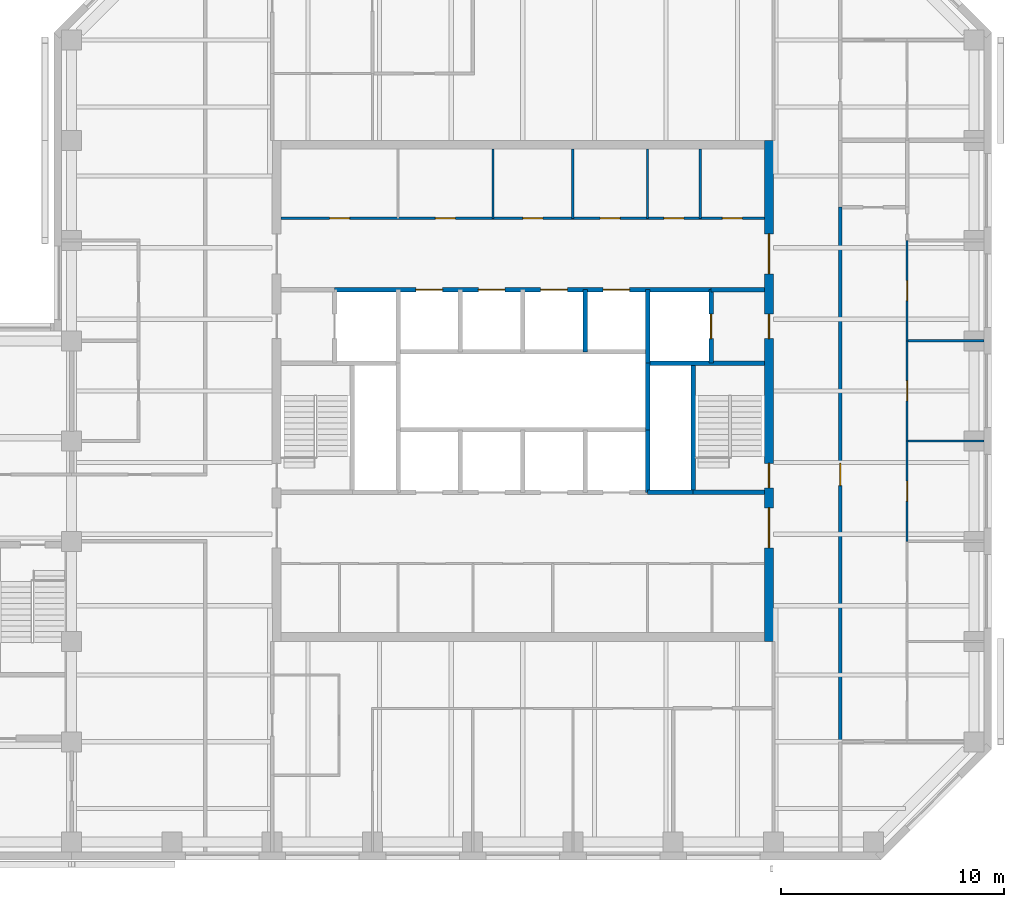
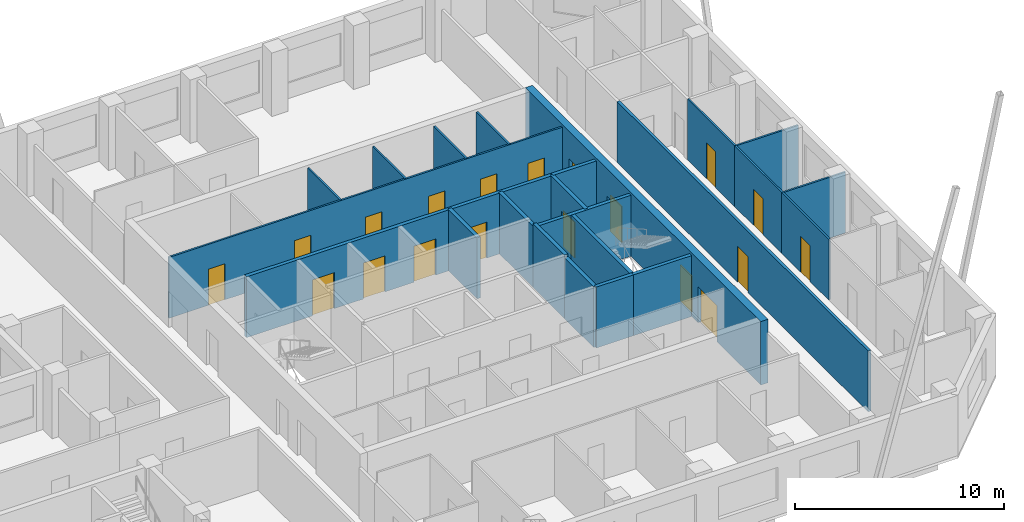
# One storey, part 6 of 9: 23 walls, 19 doors, 19 openings.
"""IFC4 building model written with IfcOpenShell, lengths in metres."""

from ifc_helpers import new_model, si_unit, direction, frame, frame_2d, origin, place, context, subcontext, project, spatial, rectangle, extrude, material, layer, layer_set, type_object, element, fill, save


model = new_model("IFC4")

# Units and contexts
model_context = context("Model", 3, precision=1e-05, world=origin(), true_north=direction((0.0, 1.0)))
body_context = subcontext(model_context, "Body", "Model", "MODEL_VIEW")
ifc_project = project(units=[si_unit("LENGTHUNIT", "METRE"), si_unit("AREAUNIT", "SQUARE_METRE"), si_unit("VOLUMEUNIT", "CUBIC_METRE"), si_unit("PLANEANGLEUNIT", "RADIAN"), si_unit("MASSUNIT", "GRAM", prefix="KILO")], contexts=[model_context])

# Site, building, storey
site_placement = place(None, origin())
site = spatial("IfcSite", under=ifc_project, at=site_placement, CompositionType="ELEMENT")
building_placement = place(site_placement, origin())
building = spatial("IfcBuilding", under=site, at=building_placement, Name="Quoin Convention Tower", CompositionType="ELEMENT")
storey_placement = place(building_placement, frame((0.0, 0.0, 203.199951171875)))
storey = spatial("IfcBuildingStorey", under=building, at=storey_placement, Name="L53", CompositionType="ELEMENT", Elevation=203.199951171875)

# Wall, openings, doors
ifc_material_1 = material(Name="Plasterboard")
ifc_layer_1 = layer(ifc_material_1, 0.012451171875, Name="Finish")
ifc_material_2 = material(Name="Steel stud framing", Category="steel")
ifc_layer_2 = layer(ifc_material_2, 0.074951171875, Name="Structure")
ifc_layer_3 = layer(ifc_material_1, 0.012451171875, Name="Finish")
ifc_layer_set_1 = layer_set([ifc_layer_1, ifc_layer_2, ifc_layer_3], Name="Steel stud framing")
wall_type_1 = type_object("IfcWallType", Name="Core partition wall", PredefinedType="PARTITIONING", material=ifc_layer_set_1)
wall_1_placement = place(storey_placement, frame((45.39990234375, 68.5, 0.0), z_axis=(0.0, 0.0, 1.0), x_axis=(1.0, 0.0, 0.0)))
wall_1 = element("IfcWall", 1, at=wall_1_placement, inside=storey, type_object=wall_type_1, Name="cr-C1-L53-h19000_400", PredefinedType="PARTITIONING", context=body_context, shape_type="SweptSolid", body=[
    extrude(rectangle(XDim=21.7001953125, YDim=0.10009765625, at=frame_2d((10.85009765625, 0.0))), origin(), (0.0, 0.0, 1.0), 3.550048828125),
])
opening_1_placement = place(wall_1_placement, frame((19.806396484375, 0.0, 0.0)))
opening_1 = element("IfcOpeningElement", 2, at=opening_1_placement, cuts=wall_1, Name="Opening DCV0-22", PredefinedType="OPENING", context=body_context, shape_type="SweptSolid", body=[
    extrude(rectangle(XDim=0.89990234375, YDim=2.10009765625, at=frame_2d((0.449951171875, 1.050048828125))), frame((0.0, 0.06005859375, 0.0), z_axis=(0.0, -1.0, 0.0), x_axis=(1.0, 0.0, 0.0)), (0.0, 0.0, 1.0), 0.1201171875),
])
opening_2_placement = place(wall_1_placement, frame((17.181396484375, 0.0, 0.0)))
opening_2 = element("IfcOpeningElement", 3, at=opening_2_placement, cuts=wall_1, Name="Opening DCV0-21", PredefinedType="OPENING", context=body_context, shape_type="SweptSolid", body=[
    extrude(rectangle(XDim=0.89990234375, YDim=2.10009765625, at=frame_2d((0.449951171875, 1.050048828125))), frame((0.0, 0.06005859375, 0.0), z_axis=(0.0, -1.0, 0.0), x_axis=(1.0, 0.0, 0.0)), (0.0, 0.0, 1.0), 0.1201171875),
])
opening_3_placement = place(wall_1_placement, frame((2.175048828125, 0.0, 0.0)))
opening_3 = element("IfcOpeningElement", 4, at=opening_3_placement, cuts=wall_1, Name="Opening DCV0-15", PredefinedType="OPENING", context=body_context, shape_type="SweptSolid", body=[
    extrude(rectangle(XDim=0.89990234375, YDim=2.10009765625, at=frame_2d((0.449951171875, 1.050048828125))), frame((0.0, 0.06005859375, 0.0), z_axis=(0.0, -1.0, 0.0), x_axis=(1.0, 0.0, 0.0)), (0.0, 0.0, 1.0), 0.1201171875),
])
opening_4_placement = place(wall_1_placement, frame((14.320068359375, 0.0, 0.0)))
opening_4 = element("IfcOpeningElement", 5, at=opening_4_placement, cuts=wall_1, Name="Opening DCV0-20", PredefinedType="OPENING", context=body_context, shape_type="SweptSolid", body=[
    extrude(rectangle(XDim=0.89990234375, YDim=2.10009765625, at=frame_2d((0.449951171875, 1.050048828125))), frame((0.0, 0.06005859375, 0.0), z_axis=(0.0, -1.0, 0.0), x_axis=(1.0, 0.0, 0.0)), (0.0, 0.0, 1.0), 0.1201171875),
])
opening_5_placement = place(wall_1_placement, frame((10.847900390625, 0.0, 0.0)))
opening_5 = element("IfcOpeningElement", 6, at=opening_5_placement, cuts=wall_1, Name="Opening DCV0-18", PredefinedType="OPENING", context=body_context, shape_type="SweptSolid", body=[
    extrude(rectangle(XDim=0.89990234375, YDim=2.10009765625, at=frame_2d((0.449951171875, 1.050048828125))), frame((0.0, 0.06005859375, 0.0), z_axis=(0.0, -1.0, 0.0), x_axis=(1.0, 0.0, 0.0)), (0.0, 0.0, 1.0), 0.1201171875),
])
opening_6_placement = place(wall_1_placement, frame((6.927978515625, 0.0, 0.0)))
opening_6 = element("IfcOpeningElement", 7, at=opening_6_placement, cuts=wall_1, Name="Opening DCV0-16", PredefinedType="OPENING", context=body_context, shape_type="SweptSolid", body=[
    extrude(rectangle(XDim=0.89990234375, YDim=2.10009765625, at=frame_2d((0.449951171875, 1.050048828125))), frame((0.0, 0.06005859375, 0.0), z_axis=(0.0, -1.0, 0.0), x_axis=(1.0, 0.0, 0.0)), (0.0, 0.0, 1.0), 0.1201171875),
])
ifc_material_3 = material(Name="Steel door leaf", Category="steel")
door_type_1 = type_object("IfcDoorType", Name="Core room door 900 x 2100", OperationType="SINGLE_SWING_LEFT", PredefinedType="DOOR", material=ifc_material_3)
door_1_placement = place(opening_1_placement, origin())
door_1 = element("IfcDoor", 8, at=door_1_placement, inside=storey, type_object=door_type_1, Name="cd-C1-L53-CNE0-lobB-CD5307", OperationType="SINGLE_SWING_RIGHT", OverallHeight=2.10009765625, OverallWidth=0.89990234375, PredefinedType="DOOR", context=body_context, shape_type="SweptSolid", body=[
    extrude(rectangle(XDim=0.89990234375, YDim=2.10009765625, at=frame_2d((0.449951171875, 1.050048828125))), frame((0.0, 0.02490234375, 0.0), z_axis=(0.0, -1.0, 0.0), x_axis=(1.0, 0.0, 0.0)), (0.0, 0.0, 1.0), 0.050048828125),
])
fill(opening_1, door_1)
door_2_placement = place(opening_2_placement, origin())
door_2 = element("IfcDoor", 9, at=door_2_placement, inside=storey, type_object=door_type_1, Name="cd-C1-L53-CNE1-lobB-CD5308", OperationType="SINGLE_SWING_RIGHT", OverallHeight=2.10009765625, OverallWidth=0.89990234375, PredefinedType="DOOR", context=body_context, shape_type="SweptSolid", body=[
    extrude(rectangle(XDim=0.89990234375, YDim=2.10009765625, at=frame_2d((0.449951171875, 1.050048828125))), frame((0.0, 0.02490234375, 0.0), z_axis=(0.0, -1.0, 0.0), x_axis=(1.0, 0.0, 0.0)), (0.0, 0.0, 1.0), 0.050048828125),
])
fill(opening_2, door_2)
door_3_placement = place(opening_3_placement, origin())
door_3 = element("IfcDoor", 10, at=door_3_placement, inside=storey, type_object=door_type_1, Name="cd-C1-L53-CNW0-lobB-CD5309", OperationType="SINGLE_SWING_RIGHT", OverallHeight=2.10009765625, OverallWidth=0.89990234375, PredefinedType="DOOR", context=body_context, shape_type="SweptSolid", body=[
    extrude(rectangle(XDim=0.89990234375, YDim=2.10009765625, at=frame_2d((0.449951171875, 1.050048828125))), frame((0.0, 0.02490234375, 0.0), z_axis=(0.0, -1.0, 0.0), x_axis=(1.0, 0.0, 0.0)), (0.0, 0.0, 1.0), 0.050048828125),
])
fill(opening_3, door_3)
door_4_placement = place(opening_4_placement, origin())
door_4 = element("IfcDoor", 11, at=door_4_placement, inside=storey, type_object=door_type_1, Name="cd-C1-L53-F40-lobB-CD5317", OperationType="SINGLE_SWING_RIGHT", OverallHeight=2.10009765625, OverallWidth=0.89990234375, PredefinedType="DOOR", context=body_context, shape_type="SweptSolid", body=[
    extrude(rectangle(XDim=0.89990234375, YDim=2.10009765625, at=frame_2d((0.449951171875, 1.050048828125))), frame((0.0, 0.02490234375, 0.0), z_axis=(0.0, -1.0, 0.0), x_axis=(1.0, 0.0, 0.0)), (0.0, 0.0, 1.0), 0.050048828125),
])
fill(opening_4, door_4)
door_5_placement = place(opening_5_placement, origin())
door_5 = element("IfcDoor", 12, at=door_5_placement, inside=storey, type_object=door_type_1, Name="cd-C1-L53-F41-lobB-CD5318", OperationType="SINGLE_SWING_RIGHT", OverallHeight=2.10009765625, OverallWidth=0.89990234375, PredefinedType="DOOR", context=body_context, shape_type="SweptSolid", body=[
    extrude(rectangle(XDim=0.89990234375, YDim=2.10009765625, at=frame_2d((0.449951171875, 1.050048828125))), frame((0.0, 0.02490234375, 0.0), z_axis=(0.0, -1.0, 0.0), x_axis=(1.0, 0.0, 0.0)), (0.0, 0.0, 1.0), 0.050048828125),
])
fill(opening_5, door_5)
door_6_placement = place(opening_6_placement, origin())
door_6 = element("IfcDoor", 13, at=door_6_placement, inside=storey, type_object=door_type_1, Name="cd-C1-L53-F42-lobB-CD5319", OperationType="SINGLE_SWING_RIGHT", OverallHeight=2.10009765625, OverallWidth=0.89990234375, PredefinedType="DOOR", context=body_context, shape_type="SweptSolid", body=[
    extrude(rectangle(XDim=0.89990234375, YDim=2.10009765625, at=frame_2d((0.449951171875, 1.050048828125))), frame((0.0, 0.02490234375, 0.0), z_axis=(0.0, -1.0, 0.0), x_axis=(1.0, 0.0, 0.0)), (0.0, 0.0, 1.0), 0.050048828125),
])
fill(opening_6, door_6)

# Walls
for number, where, z_axis, x_axis, name in (
    (14, (54.906005859375, 68.5, 0.0), (0.0, 0.0, 1.0), (0.0, 1.0, 0.0), "cr-C1-L53-v9906_19000"),
    (15, (58.489990234375, 68.5, 0.0), (0.0, 0.0, 1.0), (0.0, 1.0, 0.0), "cr-C1-L53-v13490_19000"),
    (16, (61.85009765625, 68.5, 0.0), (0.0, 0.0, 1.0), (0.0, 1.0, 0.0), "cr-C1-L53-v16850_19000"),
    (17, (64.21240234375, 68.5, 0.0), (0.0, 0.0, 1.0), (0.0, 1.0, 0.0), "cr-C1-L53-v19212_19000"),
):
    element("IfcWall", number, at=place(storey_placement, frame(where, z_axis=z_axis, x_axis=x_axis)), inside=storey, type_object=wall_type_1, Name=name, PredefinedType="PARTITIONING", context=body_context, shape_type="SweptSolid", body=[
        extrude(rectangle(XDim=3.10009765625, YDim=0.10009765625, at=frame_2d((1.550048828125, 0.0))), origin(), (0.0, 0.0, 1.0), 3.550048828125),
    ])
ifc_material_4 = material(Name="Concrete C50", Category="concrete")
ifc_layer_4 = layer(ifc_material_4, 0.199951171875)
ifc_layer_set_2 = layer_set([ifc_layer_4], Name="Concrete C50")
wall_type_2 = type_object("IfcWallType", Name="Core shaft wall", PredefinedType="SOLIDWALL", material=ifc_layer_set_2)
wall_2_placement = place(storey_placement, frame((61.85009765625, 56.199951171875, 0.0), z_axis=(0.0, 0.0, 1.0), x_axis=(1.0, 0.0, 0.0)))
element("IfcWall", 18, at=wall_2_placement, inside=storey, type_object=wall_type_2, Name="cr-C1-L53-h6700_16850", PredefinedType="SOLIDWALL", context=body_context, shape_type="SweptSolid", body=[
    extrude(rectangle(XDim=2.0498046875, YDim=0.199951171875, at=frame_2d((1.02490234375, 0.0))), origin(), (0.0, 0.0, 1.0), 3.550048828125),
])
wall_3_placement = place(storey_placement, frame((63.89990234375, 56.199951171875, 0.0), z_axis=(0.0, 0.0, 1.0), x_axis=(1.0, 0.0, 0.0)))
element("IfcWall", 19, at=wall_3_placement, inside=storey, type_object=wall_type_2, Name="cr-C1-L53-h6700_18900", PredefinedType="SOLIDWALL", context=body_context, shape_type="SweptSolid", body=[
    extrude(rectangle(XDim=3.2001953125, YDim=0.199951171875, at=frame_2d((1.60009765625, 0.0))), origin(), (0.0, 0.0, 1.0), 3.550048828125),
])
wall_4_placement = place(storey_placement, frame((61.85009765625, 62.0, 0.0), z_axis=(0.0, 0.0, 1.0), x_axis=(1.0, 0.0, 0.0)))
element("IfcWall", 20, at=wall_4_placement, inside=storey, type_object=wall_type_2, Name="cr-C1-L53-h12500_16850", PredefinedType="SOLIDWALL", context=body_context, shape_type="SweptSolid", body=[
    extrude(rectangle(XDim=5.25, YDim=0.199951171875, at=frame_2d((2.625, 0.0))), origin(), (0.0, 0.0, 1.0), 3.550048828125),
])
wall_5_placement = place(storey_placement, frame((64.699951171875, 65.300048828125, 0.0), z_axis=(0.0, 0.0, 1.0), x_axis=(1.0, 0.0, 0.0)))
element("IfcWall", 21, at=wall_5_placement, inside=storey, type_object=wall_type_2, Name="cr-C1-L53-h15800_19700", PredefinedType="SOLIDWALL", context=body_context, shape_type="SweptSolid", body=[
    extrude(rectangle(XDim=2.400146484375, YDim=0.199951171875, at=frame_2d((1.2001953125, 0.0))), origin(), (0.0, 0.0, 1.0), 3.550048828125),
])

# Wall, openings, doors
wall_6_placement = place(storey_placement, frame((47.800048828125, 65.300048828125, 0.0), z_axis=(0.0, 0.0, 1.0), x_axis=(1.0, 0.0, 0.0)))
wall_6 = element("IfcWall", 22, at=wall_6_placement, inside=storey, type_object=wall_type_2, Name="cr-C1-L53-h15800_2800", PredefinedType="SOLIDWALL", context=body_context, shape_type="SweptSolid", body=[
    extrude(rectangle(XDim=16.89990234375, YDim=0.199951171875, at=frame_2d((8.449951171875, 0.0))), origin(), (0.0, 0.0, 1.0), 3.550048828125),
])
opening_7_placement = place(wall_6_placement, frame((3.64990234375, 0.0, 0.0)))
opening_7 = element("IfcOpeningElement", 23, at=opening_7_placement, cuts=wall_6, Name="Opening LDH5", PredefinedType="OPENING", context=body_context, shape_type="SweptSolid", body=[
    extrude(rectangle(XDim=1.199951171875, YDim=2.10009765625, at=frame_2d((0.60009765625, 1.050048828125))), frame((0.0, 0.10986328125, 0.0), z_axis=(0.0, -1.0, 0.0), x_axis=(1.0, 0.0, 0.0)), (0.0, 0.0, 1.0), 0.219970703125),
])
opening_8_placement = place(wall_6_placement, frame((6.449951171875, 0.0, 0.0)))
opening_8 = element("IfcOpeningElement", 24, at=opening_8_placement, cuts=wall_6, Name="Opening LDH6", PredefinedType="OPENING", context=body_context, shape_type="SweptSolid", body=[
    extrude(rectangle(XDim=1.199951171875, YDim=2.10009765625, at=frame_2d((0.60009765625, 1.050048828125))), frame((0.0, 0.10986328125, 0.0), z_axis=(0.0, -1.0, 0.0), x_axis=(1.0, 0.0, 0.0)), (0.0, 0.0, 1.0), 0.219970703125),
])
opening_9_placement = place(wall_6_placement, frame((9.25, 0.0, 0.0)))
opening_9 = element("IfcOpeningElement", 25, at=opening_9_placement, cuts=wall_6, Name="Opening LDH7", PredefinedType="OPENING", context=body_context, shape_type="SweptSolid", body=[
    extrude(rectangle(XDim=1.199951171875, YDim=2.10009765625, at=frame_2d((0.60009765625, 1.050048828125))), frame((0.0, 0.10986328125, 0.0), z_axis=(0.0, -1.0, 0.0), x_axis=(1.0, 0.0, 0.0)), (0.0, 0.0, 1.0), 0.219970703125),
])
opening_10_placement = place(wall_6_placement, frame((12.050048828125, 0.0, 0.0)))
opening_10 = element("IfcOpeningElement", 26, at=opening_10_placement, cuts=wall_6, Name="Opening LDH8", PredefinedType="OPENING", context=body_context, shape_type="SweptSolid", body=[
    extrude(rectangle(XDim=1.199951171875, YDim=2.10009765625, at=frame_2d((0.60009765625, 1.050048828125))), frame((0.0, 0.10986328125, 0.0), z_axis=(0.0, -1.0, 0.0), x_axis=(1.0, 0.0, 0.0)), (0.0, 0.0, 1.0), 0.219970703125),
])
door_type_2 = type_object("IfcDoorType", Name="Lift landing door 1200 x 2100", OperationType="DOUBLE_DOOR_SLIDING", PredefinedType="DOOR", material=ifc_material_3)
door_7_placement = place(opening_7_placement, origin())
door_7 = element("IfcDoor", 27, at=door_7_placement, inside=storey, type_object=door_type_2, Name="cd-C1-L53-R30-lobB-LDH5", OperationType="DOUBLE_DOOR_SLIDING", OverallHeight=2.10009765625, OverallWidth=1.199951171875, PredefinedType="DOOR", context=body_context, shape_type="SweptSolid", body=[
    extrude(rectangle(XDim=1.199951171875, YDim=2.10009765625, at=frame_2d((0.60009765625, 1.050048828125))), frame((0.0, 0.02490234375, 0.0), z_axis=(0.0, -1.0, 0.0), x_axis=(1.0, 0.0, 0.0)), (0.0, 0.0, 1.0), 0.050048828125),
])
fill(opening_7, door_7)
door_8_placement = place(opening_8_placement, origin())
door_8 = element("IfcDoor", 28, at=door_8_placement, inside=storey, type_object=door_type_2, Name="cd-C1-L53-R31-lobB-LDH6", OperationType="DOUBLE_DOOR_SLIDING", OverallHeight=2.10009765625, OverallWidth=1.199951171875, PredefinedType="DOOR", context=body_context, shape_type="SweptSolid", body=[
    extrude(rectangle(XDim=1.199951171875, YDim=2.10009765625, at=frame_2d((0.60009765625, 1.050048828125))), frame((0.0, 0.02490234375, 0.0), z_axis=(0.0, -1.0, 0.0), x_axis=(1.0, 0.0, 0.0)), (0.0, 0.0, 1.0), 0.050048828125),
])
fill(opening_8, door_8)
door_9_placement = place(opening_9_placement, origin())
door_9 = element("IfcDoor", 29, at=door_9_placement, inside=storey, type_object=door_type_2, Name="cd-C1-L53-R32-lobB-LDH7", OperationType="DOUBLE_DOOR_SLIDING", OverallHeight=2.10009765625, OverallWidth=1.199951171875, PredefinedType="DOOR", context=body_context, shape_type="SweptSolid", body=[
    extrude(rectangle(XDim=1.199951171875, YDim=2.10009765625, at=frame_2d((0.60009765625, 1.050048828125))), frame((0.0, 0.02490234375, 0.0), z_axis=(0.0, -1.0, 0.0), x_axis=(1.0, 0.0, 0.0)), (0.0, 0.0, 1.0), 0.050048828125),
])
fill(opening_9, door_9)
door_10_placement = place(opening_10_placement, origin())
door_10 = element("IfcDoor", 30, at=door_10_placement, inside=storey, type_object=door_type_2, Name="cd-C1-L53-R33-lobB-LDH8", OperationType="DOUBLE_DOOR_SLIDING", OverallHeight=2.10009765625, OverallWidth=1.199951171875, PredefinedType="DOOR", context=body_context, shape_type="SweptSolid", body=[
    extrude(rectangle(XDim=1.199951171875, YDim=2.10009765625, at=frame_2d((0.60009765625, 1.050048828125))), frame((0.0, 0.02490234375, 0.0), z_axis=(0.0, -1.0, 0.0), x_axis=(1.0, 0.0, 0.0)), (0.0, 0.0, 1.0), 0.050048828125),
])
fill(opening_10, door_10)

# Walls
for number, where, z_axis, x_axis, name in (
    (31, (59.050048828125, 62.5, 0.0), (0.0, 0.0, 1.0), (0.0, 1.0, 0.0), "cr-C1-L53-v14050_13000"),
    (32, (61.85009765625, 56.199951171875, 0.0), (0.0, 0.0, 1.0), (0.0, 1.0, 0.0), "cr-C1-L53-v16850_6700"),
):
    element("IfcWall", number, at=place(storey_placement, frame(where, z_axis=z_axis, x_axis=x_axis)), inside=storey, type_object=wall_type_2, Name=name, PredefinedType="SOLIDWALL", context=body_context, shape_type="SweptSolid", body=[
        extrude(rectangle(XDim=2.800048828125, YDim=0.199951171875, at=frame_2d((1.39990234375, 0.0))), origin(), (0.0, 0.0, 1.0), 3.550048828125),
    ])
wall_7_placement = place(storey_placement, frame((61.85009765625, 62.0, 0.0), z_axis=(0.0, 0.0, 1.0), x_axis=(0.0, 1.0, 0.0)))
element("IfcWall", 33, at=wall_7_placement, inside=storey, type_object=wall_type_2, Name="cr-C1-L53-v16850_12500", PredefinedType="SOLIDWALL", context=body_context, shape_type="SweptSolid", body=[
    extrude(rectangle(XDim=3.300048828125, YDim=0.199951171875, at=frame_2d((1.64990234375, 0.0))), origin(), (0.0, 0.0, 1.0), 3.550048828125),
])
wall_8_placement = place(storey_placement, frame((63.89990234375, 56.199951171875, 0.0), z_axis=(0.0, 0.0, 1.0), x_axis=(0.0, 1.0, 0.0)))
element("IfcWall", 34, at=wall_8_placement, inside=storey, type_object=wall_type_2, Name="cr-C1-L53-v18900_6700", PredefinedType="SOLIDWALL", context=body_context, shape_type="SweptSolid", body=[
    extrude(rectangle(XDim=5.800048828125, YDim=0.199951171875, at=frame_2d((2.89990234375, 0.0))), origin(), (0.0, 0.0, 1.0), 3.550048828125),
])

# Wall, opening, door
wall_9_placement = place(storey_placement, frame((64.699951171875, 62.0, 0.0), z_axis=(0.0, 0.0, 1.0), x_axis=(0.0, 1.0, 0.0)))
wall_9 = element("IfcWall", 35, at=wall_9_placement, inside=storey, type_object=wall_type_2, Name="cr-C1-L53-v19700_12500", PredefinedType="SOLIDWALL", context=body_context, shape_type="SweptSolid", body=[
    extrude(rectangle(XDim=3.300048828125, YDim=0.199951171875, at=frame_2d((1.64990234375, 0.0))), origin(), (0.0, 0.0, 1.0), 3.550048828125),
])
opening_11_placement = place(wall_9_placement, frame((1.10009765625, 0.0, 0.0)))
opening_11 = element("IfcOpeningElement", 36, at=opening_11_placement, cuts=wall_9, Name="Opening LDFL2", PredefinedType="OPENING", context=body_context, shape_type="SweptSolid", body=[
    extrude(rectangle(XDim=1.10009765625, YDim=2.10009765625, at=frame_2d((0.550048828125, 1.050048828125))), frame((0.0, 0.10986328125, 0.0), z_axis=(0.0, -1.0, 0.0), x_axis=(1.0, 0.0, 0.0)), (0.0, 0.0, 1.0), 0.219970703125),
])
door_type_3 = type_object("IfcDoorType", Name="Lift landing door 1100 x 2100", OperationType="DOUBLE_DOOR_SLIDING", PredefinedType="DOOR", material=ifc_material_3)
door_11_placement = place(opening_11_placement, origin())
door_11 = element("IfcDoor", 37, at=door_11_placement, inside=storey, type_object=door_type_3, Name="cd-C1-L53-FLE-FFE-LDFL2", OperationType="DOUBLE_DOOR_SLIDING", OverallHeight=2.10009765625, OverallWidth=1.10009765625, PredefinedType="DOOR", context=body_context, shape_type="SweptSolid", body=[
    extrude(rectangle(XDim=1.10009765625, YDim=2.10009765625, at=frame_2d((0.550048828125, 1.050048828125))), frame((0.0, 0.02490234375, 0.0), z_axis=(0.0, -1.0, 0.0), x_axis=(1.0, 0.0, 0.0)), (0.0, 0.0, 1.0), 0.050048828125),
])
fill(opening_11, door_11)

# Wall
ifc_layer_5 = layer(ifc_material_4, 0.199951171875)
ifc_layer_set_3 = layer_set([ifc_layer_5], Name="Concrete C50")
wall_type_3 = type_object("IfcWallType", Name="Core shaft wall to the floor level over", PredefinedType="SOLIDWALL", material=ifc_layer_set_3)
wall_10_placement = place(storey_placement, frame((61.85009765625, 59.0, 0.0), z_axis=(0.0, 0.0, 1.0), x_axis=(0.0, 1.0, 0.0)))
element("IfcWall", 38, at=wall_10_placement, inside=storey, type_object=wall_type_3, Name="cr-C1-L53-v16850_9500", PredefinedType="SOLIDWALL", context=body_context, shape_type="SweptSolid", body=[
    extrude(rectangle(XDim=3.0, YDim=0.199951171875, at=frame_2d((1.5, 0.0))), origin(), (0.0, 0.0, 1.0), 3.699951171875),
])

# Wall, opening, door
ifc_layer_6 = layer(ifc_material_1, 0.012451171875, Name="Finish")
ifc_layer_7 = layer(ifc_material_2, 0.125, Name="Structure")
ifc_layer_8 = layer(ifc_material_1, 0.012451171875, Name="Finish")
ifc_layer_set_4 = layer_set([ifc_layer_6, ifc_layer_7, ifc_layer_8], Name="Steel stud framing")
wall_type_4 = type_object("IfcWallType", Name="Corridor wall 150", PredefinedType="PARTITIONING", material=ifc_layer_set_4)
wall_11_placement = place(storey_placement, frame((70.5, 45.0, 0.0), z_axis=(0.0, 0.0, 1.0), x_axis=(0.0, 1.0, 0.0)))
wall_11 = element("IfcWall", 39, at=wall_11_placement, inside=storey, type_object=wall_type_4, Name="pw-L53-051", PredefinedType="PARTITIONING", context=body_context, shape_type="SweptSolid", body=[
    extrude(rectangle(XDim=24.0, YDim=0.14990234375, at=frame_2d((12.0, 0.0))), origin(), (0.0, 0.0, 1.0), 3.550048828125),
])
opening_12_placement = place(wall_11_placement, frame((11.5, 0.0, 0.0)))
opening_12 = element("IfcOpeningElement", 40, at=opening_12_placement, cuts=wall_11, Name="Opening DOH8-15", PredefinedType="OPENING", context=body_context, shape_type="SweptSolid", body=[
    extrude(rectangle(XDim=1.0, YDim=2.10009765625, at=frame_2d((0.5, 1.050048828125))), frame((0.0, 0.0849609375, 0.0), z_axis=(0.0, -1.0, 0.0), x_axis=(1.0, 0.0, 0.0)), (0.0, 0.0, 1.0), 0.169921875),
])
door_type_4 = type_object("IfcDoorType", Name="Tenancy entrance door 1000 x 2100", OperationType="DOUBLE_DOOR_SINGLE_SWING", PredefinedType="DOOR", material=ifc_material_3)
door_12_placement = place(opening_12_placement, frame((1.0, 0.0, 0.0), z_axis=(0.0, 0.0, 1.0), x_axis=(-1.0, 0.0, 0.0)))
door_12 = element("IfcDoor", 41, at=door_12_placement, inside=storey, type_object=door_type_4, Name="dr-L53-24", OperationType="DOUBLE_DOOR_SINGLE_SWING", OverallHeight=2.10009765625, OverallWidth=1.0, PredefinedType="DOOR", context=body_context, shape_type="SweptSolid", body=[
    extrude(rectangle(XDim=1.0, YDim=2.10009765625, at=frame_2d((0.5, 1.050048828125))), frame((0.0, 0.02490234375, 0.0), z_axis=(0.0, -1.0, 0.0), x_axis=(1.0, 0.0, 0.0)), (0.0, 0.0, 1.0), 0.050048828125),
])
fill(opening_12, door_12)

# Wall, openings, doors
ifc_layer_9 = layer(ifc_material_4, 0.39990234375)
ifc_layer_set_5 = layer_set([ifc_layer_9], Name="Concrete C50")
wall_type_5 = type_object("IfcWallType", Name="RC CORE WALL 400 C50", PredefinedType="SHEAR", material=ifc_layer_set_5)
wall_12_placement = place(storey_placement, frame((67.300048828125, 49.5, 0.0), z_axis=(0.0, 0.0, 1.0), x_axis=(0.0, 1.0, 0.0)))
wall_12 = element("IfcWall", 42, at=wall_12_placement, inside=storey, type_object=wall_type_5, Name="cwl-C1-L53-E", PredefinedType="SHEAR", context=body_context, shape_type="SweptSolid", body=[
    extrude(rectangle(XDim=22.5, YDim=0.39990234375, at=frame_2d((11.25, 0.0))), origin(), (0.0, 0.0, 1.0), 3.699951171875),
])
opening_13_placement = place(wall_12_placement, frame((4.199951171875, 0.0, 0.0)))
opening_13 = element("IfcOpeningElement", 43, at=opening_13_placement, cuts=wall_12, Name="Opening DCV0-57", PredefinedType="OPENING", context=body_context, shape_type="SweptSolid", body=[
    extrude(rectangle(XDim=1.800048828125, YDim=2.10009765625, at=frame_2d((0.89990234375, 1.050048828125))), frame((0.0, 0.2099609375, 0.0), z_axis=(0.0, -1.0, 0.0), x_axis=(1.0, 0.0, 0.0)), (0.0, 0.0, 1.0), 0.419921875),
])
opening_14_placement = place(wall_12_placement, frame((6.89990234375, 0.0, 0.0)))
opening_14 = element("IfcOpeningElement", 44, at=opening_14_placement, cuts=wall_12, Name="Opening SD2", PredefinedType="OPENING", context=body_context, shape_type="SweptSolid", body=[
    extrude(rectangle(XDim=1.10009765625, YDim=2.10009765625, at=frame_2d((0.550048828125, 1.050048828125))), frame((0.0, 0.2099609375, 0.0), z_axis=(0.0, -1.0, 0.0), x_axis=(1.0, 0.0, 0.0)), (0.0, 0.0, 1.0), 0.419921875),
])
opening_15_placement = place(wall_12_placement, frame((13.60009765625, 0.0, 0.0)))
opening_15 = element("IfcOpeningElement", 45, at=opening_15_placement, cuts=wall_12, Name="Opening DCV0-56", PredefinedType="OPENING", context=body_context, shape_type="SweptSolid", body=[
    extrude(rectangle(XDim=1.10009765625, YDim=2.10009765625, at=frame_2d((0.550048828125, 1.050048828125))), frame((0.0, 0.2099609375, 0.0), z_axis=(0.0, -1.0, 0.0), x_axis=(1.0, 0.0, 0.0)), (0.0, 0.0, 1.0), 0.419921875),
])
opening_16_placement = place(wall_12_placement, frame((16.5, 0.0, 0.0)))
opening_16 = element("IfcOpeningElement", 46, at=opening_16_placement, cuts=wall_12, Name="Opening DCV0-57", PredefinedType="OPENING", context=body_context, shape_type="SweptSolid", body=[
    extrude(rectangle(XDim=1.800048828125, YDim=2.10009765625, at=frame_2d((0.89990234375, 1.050048828125))), frame((0.0, 0.2099609375, 0.0), z_axis=(0.0, -1.0, 0.0), x_axis=(1.0, 0.0, 0.0)), (0.0, 0.0, 1.0), 0.419921875),
])
door_type_5 = type_object("IfcDoorType", Name="Fire-fighting lobby door 1100 x 2100", OperationType="SINGLE_SWING_LEFT", PredefinedType="DOOR", material=ifc_material_3)
door_13_placement = place(opening_15_placement, origin())
door_13 = element("IfcDoor", 47, at=door_13_placement, inside=storey, type_object=door_type_5, Name="cd-C1-L53-FFE-E", OperationType="SINGLE_SWING_RIGHT", OverallHeight=2.10009765625, OverallWidth=1.10009765625, PredefinedType="DOOR", context=body_context, shape_type="SweptSolid", body=[
    extrude(rectangle(XDim=1.10009765625, YDim=2.10009765625, at=frame_2d((0.550048828125, 1.050048828125))), frame((0.0, 0.02490234375, 0.0), z_axis=(0.0, -1.0, 0.0), x_axis=(1.0, 0.0, 0.0)), (0.0, 0.0, 1.0), 0.050048828125),
])
fill(opening_15, door_13)
door_type_6 = type_object("IfcDoorType", Name="Lift lobby door 1800 x 2100", OperationType="SINGLE_SWING_LEFT", PredefinedType="DOOR", material=ifc_material_3)
door_14_placement = place(opening_13_placement, origin())
door_14 = element("IfcDoor", 48, at=door_14_placement, inside=storey, type_object=door_type_6, Name="cd-C1-L53-lobA-E", OperationType="SINGLE_SWING_RIGHT", OverallHeight=2.10009765625, OverallWidth=1.800048828125, PredefinedType="DOOR", context=body_context, shape_type="SweptSolid", body=[
    extrude(rectangle(XDim=1.800048828125, YDim=2.10009765625, at=frame_2d((0.89990234375, 1.050048828125))), frame((0.0, 0.02490234375, 0.0), z_axis=(0.0, -1.0, 0.0), x_axis=(1.0, 0.0, 0.0)), (0.0, 0.0, 1.0), 0.050048828125),
])
fill(opening_13, door_14)
door_15_placement = place(opening_16_placement, origin())
door_15 = element("IfcDoor", 49, at=door_15_placement, inside=storey, type_object=door_type_6, Name="cd-C1-L53-lobB-E", OperationType="SINGLE_SWING_RIGHT", OverallHeight=2.10009765625, OverallWidth=1.800048828125, PredefinedType="DOOR", context=body_context, shape_type="SweptSolid", body=[
    extrude(rectangle(XDim=1.800048828125, YDim=2.10009765625, at=frame_2d((0.89990234375, 1.050048828125))), frame((0.0, 0.02490234375, 0.0), z_axis=(0.0, -1.0, 0.0), x_axis=(1.0, 0.0, 0.0)), (0.0, 0.0, 1.0), 0.050048828125),
])
fill(opening_16, door_15)
door_type_7 = type_object("IfcDoorType", Name="Stair door 1100 x 2100", OperationType="SINGLE_SWING_RIGHT", PredefinedType="DOOR", material=ifc_material_3)
door_16_placement = place(opening_14_placement, origin())
door_16 = element("IfcDoor", 50, at=door_16_placement, inside=storey, type_object=door_type_7, Name="cd-C1-L53-STE-E", OperationType="SINGLE_SWING_LEFT", OverallHeight=2.10009765625, OverallWidth=1.10009765625, PredefinedType="DOOR", context=body_context, shape_type="SweptSolid", body=[
    extrude(rectangle(XDim=1.10009765625, YDim=2.10009765625, at=frame_2d((0.550048828125, 1.050048828125))), frame((0.0, 0.02490234375, 0.0), z_axis=(0.0, -1.0, 0.0), x_axis=(1.0, 0.0, 0.0)), (0.0, 0.0, 1.0), 0.050048828125),
])
fill(opening_14, door_16)

# Walls
ifc_layer_10 = layer(ifc_material_1, 0.012451171875, Name="Finish")
ifc_layer_11 = layer(ifc_material_2, 0.074951171875, Name="Structure")
ifc_layer_12 = layer(ifc_material_1, 0.012451171875, Name="Finish")
ifc_layer_set_6 = layer_set([ifc_layer_10, ifc_layer_11, ifc_layer_12], Name="Steel stud framing")
wall_type_6 = type_object("IfcWallType", Name="Stud partition 100", PredefinedType="PARTITIONING", material=ifc_layer_set_6)
for number, where, z_axis, x_axis, name in (
    (51, (73.550048828125, 58.5, 0.0), (0.0, 0.0, 1.0), (1.0, 0.0, 0.0), "pw-L53-022"),
    (52, (73.550048828125, 63.0, 0.0), (0.0, 0.0, 1.0), (1.0, 0.0, 0.0), "pw-L53-026"),
):
    element("IfcWall", number, at=place(storey_placement, frame(where, z_axis=z_axis, x_axis=x_axis)), inside=storey, type_object=wall_type_6, Name=name, PredefinedType="PARTITIONING", context=body_context, shape_type="SweptSolid", body=[
        extrude(rectangle(XDim=3.39990234375, YDim=0.10009765625, at=frame_2d((1.699951171875, 0.0))), origin(), (0.0, 0.0, 1.0), 3.550048828125),
    ])

# Wall, opening, door
wall_13_placement = place(storey_placement, frame((73.5, 54.0, 0.0), z_axis=(0.0, 0.0, 1.0), x_axis=(0.0, 1.0, 0.0)))
wall_13 = element("IfcWall", 53, at=wall_13_placement, inside=storey, type_object=wall_type_6, Name="pw-L53-061", PredefinedType="PARTITIONING", context=body_context, shape_type="SweptSolid", body=[
    extrude(rectangle(XDim=4.5, YDim=0.10009765625, at=frame_2d((2.25, 0.0))), origin(), (0.0, 0.0, 1.0), 3.550048828125),
])
opening_17_placement = place(wall_13_placement, frame((1.800048828125, 0.0, 0.0)))
opening_17 = element("IfcOpeningElement", 54, at=opening_17_placement, cuts=wall_13, Name="Opening DOH8-18", PredefinedType="OPENING", context=body_context, shape_type="SweptSolid", body=[
    extrude(rectangle(XDim=0.89990234375, YDim=2.10009765625, at=frame_2d((0.449951171875, 1.050048828125))), frame((0.0, 0.06005859375, 0.0), z_axis=(0.0, -1.0, 0.0), x_axis=(1.0, 0.0, 0.0)), (0.0, 0.0, 1.0), 0.1201171875),
])
door_type_8 = type_object("IfcDoorType", Name="Office door 900 x 2100", OperationType="SINGLE_SWING_RIGHT", PredefinedType="DOOR", material=ifc_material_3)
door_17_placement = place(opening_17_placement, origin())
door_17 = element("IfcDoor", 55, at=door_17_placement, inside=storey, type_object=door_type_8, Name="dr-L53-28", OperationType="SINGLE_SWING_RIGHT", OverallHeight=2.10009765625, OverallWidth=0.89990234375, PredefinedType="DOOR", context=body_context, shape_type="SweptSolid", body=[
    extrude(rectangle(XDim=0.89990234375, YDim=2.10009765625, at=frame_2d((0.449951171875, 1.050048828125))), frame((0.0, 0.02490234375, 0.0), z_axis=(0.0, -1.0, 0.0), x_axis=(1.0, 0.0, 0.0)), (0.0, 0.0, 1.0), 0.050048828125),
])
fill(opening_17, door_17)

wall_14_placement = place(storey_placement, frame((73.5, 58.5, 0.0), z_axis=(0.0, 0.0, 1.0), x_axis=(0.0, 1.0, 0.0)))
wall_14 = element("IfcWall", 56, at=wall_14_placement, inside=storey, type_object=wall_type_6, Name="pw-L53-065", PredefinedType="PARTITIONING", context=body_context, shape_type="SweptSolid", body=[
    extrude(rectangle(XDim=4.5, YDim=0.10009765625, at=frame_2d((2.25, 0.0))), origin(), (0.0, 0.0, 1.0), 3.550048828125),
])
opening_18_placement = place(wall_14_placement, frame((1.800048828125, 0.0, 0.0)))
opening_18 = element("IfcOpeningElement", 57, at=opening_18_placement, cuts=wall_14, Name="Opening DOH8-19", PredefinedType="OPENING", context=body_context, shape_type="SweptSolid", body=[
    extrude(rectangle(XDim=0.89990234375, YDim=2.10009765625, at=frame_2d((0.449951171875, 1.050048828125))), frame((0.0, 0.06005859375, 0.0), z_axis=(0.0, -1.0, 0.0), x_axis=(1.0, 0.0, 0.0)), (0.0, 0.0, 1.0), 0.1201171875),
])
door_18_placement = place(opening_18_placement, origin())
door_18 = element("IfcDoor", 58, at=door_18_placement, inside=storey, type_object=door_type_8, Name="dr-L53-29", OperationType="SINGLE_SWING_RIGHT", OverallHeight=2.10009765625, OverallWidth=0.89990234375, PredefinedType="DOOR", context=body_context, shape_type="SweptSolid", body=[
    extrude(rectangle(XDim=0.89990234375, YDim=2.10009765625, at=frame_2d((0.449951171875, 1.050048828125))), frame((0.0, 0.02490234375, 0.0), z_axis=(0.0, -1.0, 0.0), x_axis=(1.0, 0.0, 0.0)), (0.0, 0.0, 1.0), 0.050048828125),
])
fill(opening_18, door_18)

wall_15_placement = place(storey_placement, frame((73.5, 63.0, 0.0), z_axis=(0.0, 0.0, 1.0), x_axis=(0.0, 1.0, 0.0)))
wall_15 = element("IfcWall", 59, at=wall_15_placement, inside=storey, type_object=wall_type_6, Name="pw-L53-073", PredefinedType="PARTITIONING", context=body_context, shape_type="SweptSolid", body=[
    extrude(rectangle(XDim=4.5, YDim=0.10009765625, at=frame_2d((2.25, 0.0))), origin(), (0.0, 0.0, 1.0), 3.550048828125),
])
opening_19_placement = place(wall_15_placement, frame((1.800048828125, 0.0, 0.0)))
opening_19 = element("IfcOpeningElement", 60, at=opening_19_placement, cuts=wall_15, Name="Opening DOH8-22", PredefinedType="OPENING", context=body_context, shape_type="SweptSolid", body=[
    extrude(rectangle(XDim=0.89990234375, YDim=2.10009765625, at=frame_2d((0.449951171875, 1.050048828125))), frame((0.0, 0.06005859375, 0.0), z_axis=(0.0, -1.0, 0.0), x_axis=(1.0, 0.0, 0.0)), (0.0, 0.0, 1.0), 0.1201171875),
])
door_19_placement = place(opening_19_placement, origin())
door_19 = element("IfcDoor", 61, at=door_19_placement, inside=storey, type_object=door_type_8, Name="dr-L53-30", OperationType="SINGLE_SWING_RIGHT", OverallHeight=2.10009765625, OverallWidth=0.89990234375, PredefinedType="DOOR", context=body_context, shape_type="SweptSolid", body=[
    extrude(rectangle(XDim=0.89990234375, YDim=2.10009765625, at=frame_2d((0.449951171875, 1.050048828125))), frame((0.0, 0.02490234375, 0.0), z_axis=(0.0, -1.0, 0.0), x_axis=(1.0, 0.0, 0.0)), (0.0, 0.0, 1.0), 0.050048828125),
])
fill(opening_19, door_19)

save(model, "model.ifc")
